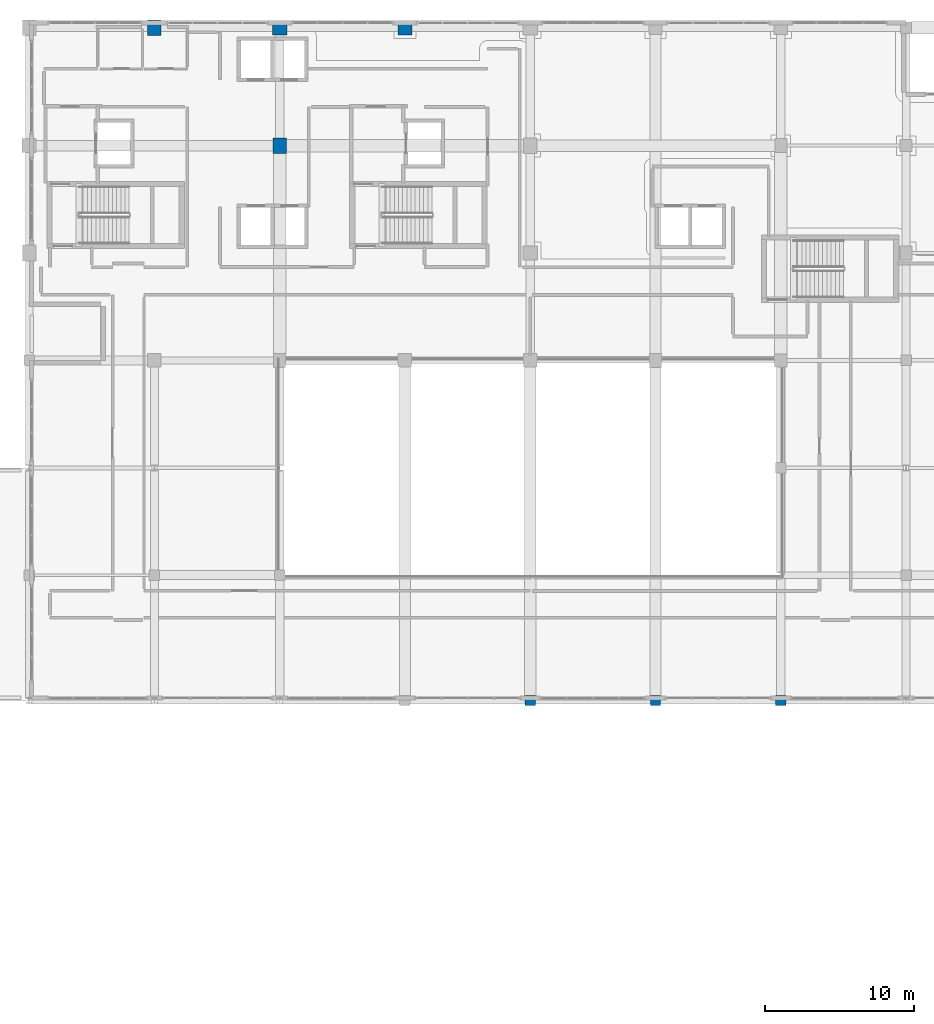
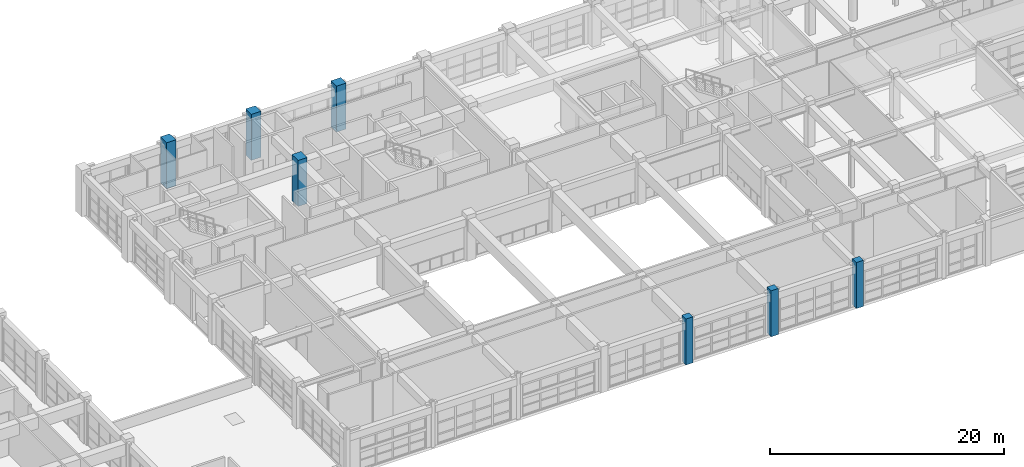
# One storey, part 9 of 123: 7 columns.
"""IFC4 building model written with IfcOpenShell, lengths in metres."""

import ifcopenshell
import ifcopenshell.guid

model = None  # the IFC model being written
_history = None  # IfcOwnerHistory: only IFC2X3 demands one
_inside = {}  # id of a spatial element -> (the spatial element, [elements in it])
_under = {}  # id of a project, library or spatial element -> (it, [spatial elements below it])
_declared = {}  # id of a project -> (the project, [libraries it declares])
_typed = {}  # id of a type object -> (the type object, [elements of that type])
_made_of = {}  # id of a material, layer set ... -> (it, [elements and type objects made of it])


def new_model(schema):
    """Start an empty IFC model of exactly this schema.

    Asked for "IFC4X3", IfcOpenShell would pick the latest addendum, in which some entities
    have other attributes; the version numbers below select the first issue.
    IFC2X3 requires an IfcOwnerHistory on every rooted entity: one is made here for all.
    """
    global model, _history
    if schema == "IFC4X3":
        model = ifcopenshell.file(schema_version=(4, 3, 0, 0))
    else:
        model = ifcopenshell.file(schema=schema)
    _inside.clear()
    _under.clear()
    _declared.clear()
    _typed.clear()
    _made_of.clear()
    _history = None
    if model.schema == "IFC2X3":
        org = make("IfcOrganization", Name="unknown")
        user = make(
            "IfcPersonAndOrganization",
            ThePerson=make("IfcPerson", FamilyName="unknown"),
            TheOrganization=org,
        )
        app = make(
            "IfcApplication",
            ApplicationDeveloper=org,
            Version="unknown",
            ApplicationFullName="unknown",
            ApplicationIdentifier="unknown",
        )
        _history = make(
            "IfcOwnerHistory",
            OwningUser=user,
            OwningApplication=app,
            ChangeAction="ADDED",
            CreationDate=0,
        )
    return model


def make(cls, **values):
    """One entity of the class cls with the attributes given. An attribute that is None is left unset."""
    return model.create_entity(
        cls, **{name: value for name, value in values.items() if value is not None}
    )


def rooted(cls, **values):
    """An entity with a GlobalId (a new one), such as an element, a storey or a relation."""
    return make(cls, GlobalId=ifcopenshell.guid.new(), OwnerHistory=_history, **values)


def si_unit(unit_type, name, prefix=None):
    """IfcSIUnit, for example si_unit("LENGTHUNIT", "METRE", prefix="MILLI")."""
    return make("IfcSIUnit", UnitType=unit_type, Prefix=prefix, Name=name)


def assignment(units):
    """IfcUnitAssignment: the units of a project."""
    return None if units is None else make("IfcUnitAssignment", Units=units)


def point(xyz):
    """IfcCartesianPoint."""
    return None if xyz is None else make("IfcCartesianPoint", Coordinates=xyz)


def direction(xyz):
    """IfcDirection."""
    return None if xyz is None else make("IfcDirection", DirectionRatios=xyz)


def frame(location, z_axis=None, x_axis=None):
    """IfcAxis2Placement3D, a coordinate frame: its origin and axes. An axis left out is left unset."""
    return make(
        "IfcAxis2Placement3D",
        Location=point(location),
        Axis=direction(z_axis),
        RefDirection=direction(x_axis),
    )


def frame_2d(location, x_axis=None):
    """IfcAxis2Placement2D, a coordinate frame in the plane: its origin and x axis."""
    return make(
        "IfcAxis2Placement2D", Location=point(location), RefDirection=direction(x_axis)
    )


def origin():
    """The frame at (0, 0, 0) with its axes left unset."""
    return frame((0.0, 0.0, 0.0))


def origin_2d():
    """The frame at (0, 0) in the plane with its x axis left unset."""
    return frame_2d((0.0, 0.0))


def place(relative_to, where):
    """IfcLocalPlacement: puts the frame where relative to a parent placement (None: the world)."""
    return make(
        "IfcLocalPlacement", PlacementRelTo=relative_to, RelativePlacement=where
    )


def context(
    kind, dimensions, precision=None, world=None, true_north=None, identifier=None
):
    """IfcGeometricRepresentationContext, for example the 3D "Model" context."""
    return make(
        "IfcGeometricRepresentationContext",
        ContextIdentifier=identifier,
        ContextType=kind,
        CoordinateSpaceDimension=dimensions,
        Precision=precision,
        WorldCoordinateSystem=world,
        TrueNorth=true_north,
    )


def subcontext(parent, identifier, kind, view, scale=None):
    """IfcGeometricRepresentationSubContext, for example "Body" below "Model"."""
    return make(
        "IfcGeometricRepresentationSubContext",
        ContextIdentifier=identifier,
        ContextType=kind,
        ParentContext=parent,
        TargetScale=scale,
        TargetView=view,
    )


def project(units=None, contexts=None):
    """IfcProject with its units and contexts."""
    return rooted(
        "IfcProject",
        Name="project",
        RepresentationContexts=contexts,
        UnitsInContext=assignment(units),
    )


def spatial(cls, under=None, at=None, **own):
    """A site, building, storey or space (cls), placed at a placement, below another one or the project."""
    s = rooted(cls, ObjectPlacement=at, **own)
    if under is not None:
        _under.setdefault(under.id(), (under, []))[1].append(s)
    return s


def profile(cls, at=None, kind="AREA", **sizes):
    """A parametric profile (cls). Its sizes go by their IFC names, for example OverallWidth=200.0."""
    return make(cls, ProfileType=kind, Position=at, **sizes)


def rectangle(**sizes):
    """IfcRectangleProfileDef."""
    return profile("IfcRectangleProfileDef", **sizes)


def extrude(swept, where, along, depth):
    """IfcExtrudedAreaSolid: the profile swept, set in the frame where, extruded along a direction by depth."""
    return make(
        "IfcExtrudedAreaSolid",
        SweptArea=swept,
        Position=where,
        ExtrudedDirection=direction(along),
        Depth=depth,
    )


def shape(context_of_items, identifier, shape_type, items):
    """IfcShapeRepresentation: the items that make up one representation, for example the "Body"."""
    return make(
        "IfcShapeRepresentation",
        ContextOfItems=context_of_items,
        RepresentationIdentifier=identifier,
        RepresentationType=shape_type,
        Items=items,
    )


def material(Name=None, Category=None):
    """IfcMaterial."""
    return make("IfcMaterial", Name=Name, Category=Category)


def material_profile(
    of_material, cross_section, Name=None, Category=None, Priority=None
):
    """IfcMaterialProfile: a cross section and its material."""
    return make(
        "IfcMaterialProfile",
        Name=Name,
        Material=of_material,
        Profile=cross_section,
        Priority=Priority,
        Category=Category,
    )


def profile_set(profiles, Name=None, composite=None):
    """IfcMaterialProfileSet."""
    return make(
        "IfcMaterialProfileSet",
        Name=Name,
        MaterialProfiles=profiles,
        CompositeProfile=composite,
    )


def made_of(thing, what):
    """Note that an element or type object is made of a material, layer set ...; save() writes the relation."""
    if what is not None:
        _made_of.setdefault(what.id(), (what, []))[1].append(thing)
    return thing


def type_object(cls, material=None, **own):
    """A type object (cls), such as IfcWallType, which elements share."""
    return made_of(rooted(cls, **own), material)


def element(
    cls,
    number,
    at=None,
    inside=None,
    cuts=None,
    type_object=None,
    material=None,
    context=None,
    identifier="Body",
    shape_type=None,
    held_by="IfcProductDefinitionShape",
    body=None,
    shapes=None,
    **own,
):
    """One element of the class cls, such as IfcWall. Its Tag is "e" and its number.

    at: its placement. inside: the storey or other place that contains it. cuts: it is an
    opening in that element (IfcRelVoidsElement). A single representation is given by context,
    identifier, shape_type and body (its items); several are given by shapes. held_by: the class
    of the entity that holds the representations. save() writes the other relations.
    """
    e = rooted(cls, Tag="e%d" % number, ObjectPlacement=at, **own)
    if body is not None:
        shapes = [shape(context, identifier, shape_type, body)]
    if shapes is not None:
        e.Representation = make(held_by, Representations=shapes)
    if inside is not None:
        _inside.setdefault(inside.id(), (inside, []))[1].append(e)
    if cuts is not None:
        rooted(
            "IfcRelVoidsElement", RelatingBuildingElement=cuts, RelatedOpeningElement=e
        )
    if type_object is not None:
        _typed.setdefault(type_object.id(), (type_object, []))[1].append(e)
    return made_of(e, material)


def aggregate(whole, parts):
    """IfcRelAggregates: a whole, such as a stair, and the parts it consists of."""
    return rooted("IfcRelAggregates", RelatingObject=whole, RelatedObjects=parts)


def save(model, path):
    """Write the relations noted so far, then the file.

    IfcRelAggregates (storeys below a building ...), IfcRelContainedInSpatialStructure (elements
    in a storey), IfcRelDefinesByType, IfcRelAssociatesMaterial and IfcRelDeclares: one each for
    every whole, place, type object, material and project.
    """
    for whole, parts in _under.values():
        aggregate(whole, parts)
    for where, things in _inside.values():
        rooted(
            "IfcRelContainedInSpatialStructure",
            RelatedElements=things,
            RelatingStructure=where,
        )
    for kind, things in _typed.values():
        rooted("IfcRelDefinesByType", RelatedObjects=things, RelatingType=kind)
    for what, things in _made_of.values():
        rooted("IfcRelAssociatesMaterial", RelatedObjects=things, RelatingMaterial=what)
    for by, libraries in _declared.values():
        rooted("IfcRelDeclares", RelatingContext=by, RelatedDefinitions=libraries)
    model.write(path)


model = new_model("IFC4")

# Units and contexts
model_context = context("Model", 3, precision=1e-05, world=origin(), true_north=direction((0.0, 1.0)))
body_context = subcontext(model_context, "Body", "Model", "MODEL_VIEW")
ifc_project = project(units=[si_unit("LENGTHUNIT", "METRE"), si_unit("AREAUNIT", "SQUARE_METRE"), si_unit("VOLUMEUNIT", "CUBIC_METRE"), si_unit("PLANEANGLEUNIT", "RADIAN"), si_unit("MASSUNIT", "GRAM", prefix="KILO")], contexts=[model_context])

# Site, building, storey
site_placement = place(None, origin())
site = spatial("IfcSite", under=ifc_project, at=site_placement, CompositionType="ELEMENT")
building_placement = place(site_placement, origin())
building = spatial("IfcBuilding", under=site, at=building_placement, Name="Quendrovan Civic Courthouse", CompositionType="ELEMENT")
storey_placement = place(building_placement, frame((0.0, 0.0, 5.39990234375)))
storey = spatial("IfcBuildingStorey", under=building, at=storey_placement, Name="L02", CompositionType="ELEMENT", Elevation=5.39990234375)

# Columns
ifc_material = material(Name="Concrete C45/55", Category="concrete")
ifc_material_profile_1 = material_profile(ifc_material, rectangle(XDim=0.89990234375, YDim=1.050048828125, at=origin_2d()), Name="RC-COL-900x1050")
ifc_profile_set_1 = profile_set([ifc_material_profile_1], Name="Concrete C45/55")
column_type_1 = type_object("IfcColumnType", Name="COL-RC-900x1050", PredefinedType="COLUMN", material=ifc_profile_set_1)
for number, where, z_axis, x_axis, name in (
    (1, (42.0, 109.89990234375, 0.0), (0.0, 0.0, 1.0), (1.0, 0.0, 0.0), "L02 Column 6-Q"),
    (2, (50.39990234375, 102.0, 0.0), (0.0, 0.0, 1.0), (1.0, 0.0, 0.0), "L02 Column 7-P"),
):
    element("IfcColumn", number, at=place(storey_placement, frame(where, z_axis=z_axis, x_axis=x_axis)), inside=storey, type_object=column_type_1, Name=name, PredefinedType="COLUMN", context=body_context, shape_type="SweptSolid", body=[
        extrude(rectangle(XDim=0.89990234375, YDim=1.050048828125, at=origin_2d()), origin(), (0.0, 0.0, 1.0), 4.800048828125),
    ])
ifc_material_profile_2 = material_profile(ifc_material, rectangle(XDim=0.699951171875, YDim=0.699951171875, at=origin_2d()), Name="RC-COL-700x700")
ifc_profile_set_2 = profile_set([ifc_material_profile_2], Name="Concrete C45/55")
column_type_2 = type_object("IfcColumnType", Name="COL-RC700", PredefinedType="COLUMN", material=ifc_profile_set_2)
for number, where, z_axis, x_axis, name in (
    (3, (67.199951171875, 64.800048828125, 0.0), (0.0, 0.0, 1.0), (1.0, 0.0, 0.0), "L02 Column 9-J"),
    (4, (75.60009765625, 64.800048828125, 0.0), (0.0, 0.0, 1.0), (1.0, 0.0, 0.0), "L02 Column 10-J"),
    (5, (84.0, 64.800048828125, 0.0), (0.0, 0.0, 1.0), (1.0, 0.0, 0.0), "L02 Column 11-J"),
):
    element("IfcColumn", number, at=place(storey_placement, frame(where, z_axis=z_axis, x_axis=x_axis)), inside=storey, type_object=column_type_2, Name=name, PredefinedType="COLUMN", context=body_context, shape_type="SweptSolid", body=[
        extrude(rectangle(XDim=0.699951171875, YDim=0.699951171875, at=origin_2d()), origin(), (0.0, 0.0, 1.0), 4.800048828125),
    ])
ifc_material_profile_3 = material_profile(ifc_material, rectangle(XDim=0.949951171875, YDim=0.949951171875, at=origin_2d()), Name="RC-COL-950x950")
ifc_profile_set_3 = profile_set([ifc_material_profile_3], Name="Concrete C45/55")
column_type_3 = type_object("IfcColumnType", Name="COL-RC950", PredefinedType="COLUMN", material=ifc_profile_set_3)
for number, where, z_axis, x_axis, name in (
    (6, (50.39990234375, 109.89990234375, 0.0), (0.0, 0.0, 1.0), (1.0, 0.0, 0.0), "L02 Column 7-Q"),
    (7, (58.800048828125, 109.89990234375, 0.0), (0.0, 0.0, 1.0), (1.0, 0.0, 0.0), "L02 Column 8-Q"),
):
    element("IfcColumn", number, at=place(storey_placement, frame(where, z_axis=z_axis, x_axis=x_axis)), inside=storey, type_object=column_type_3, Name=name, PredefinedType="COLUMN", context=body_context, shape_type="SweptSolid", body=[
        extrude(rectangle(XDim=0.949951171875, YDim=0.949951171875, at=origin_2d()), origin(), (0.0, 0.0, 1.0), 4.800048828125),
    ])

save(model, "model.ifc")
